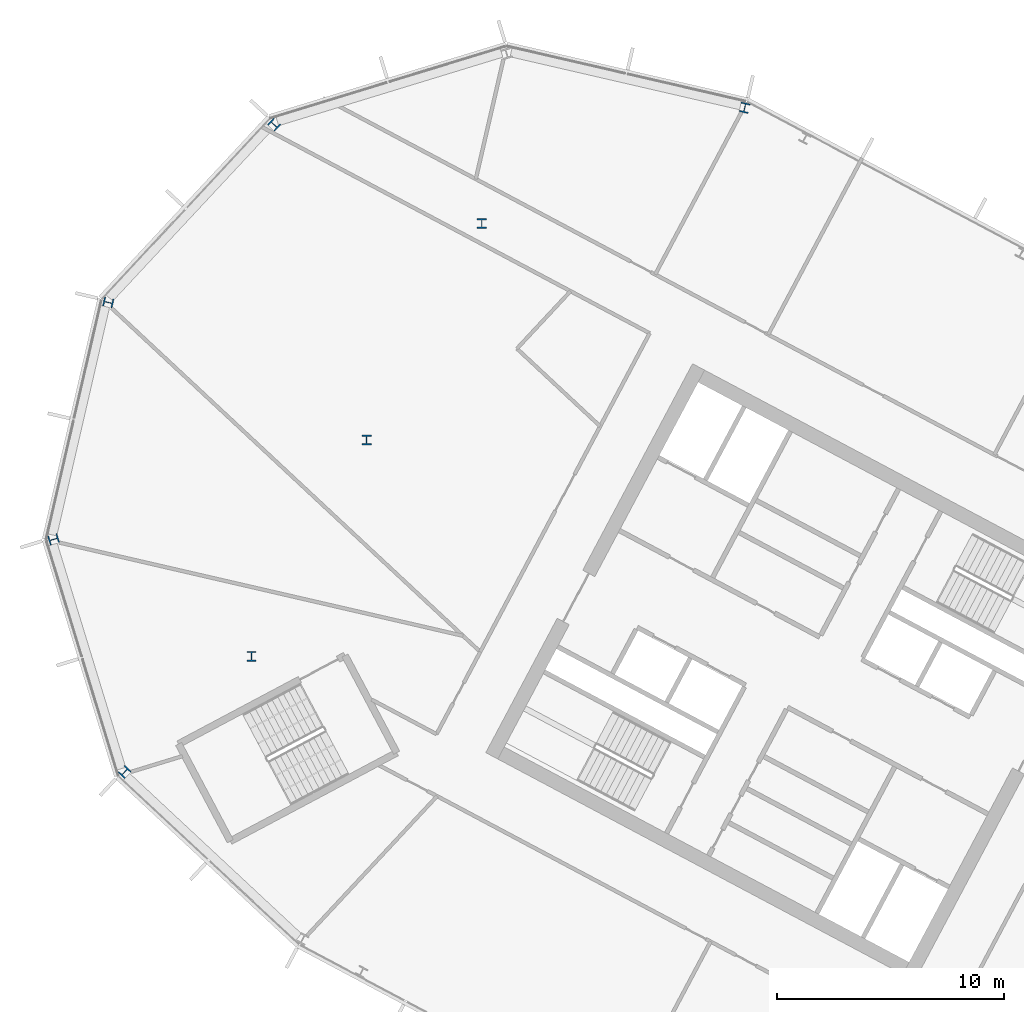
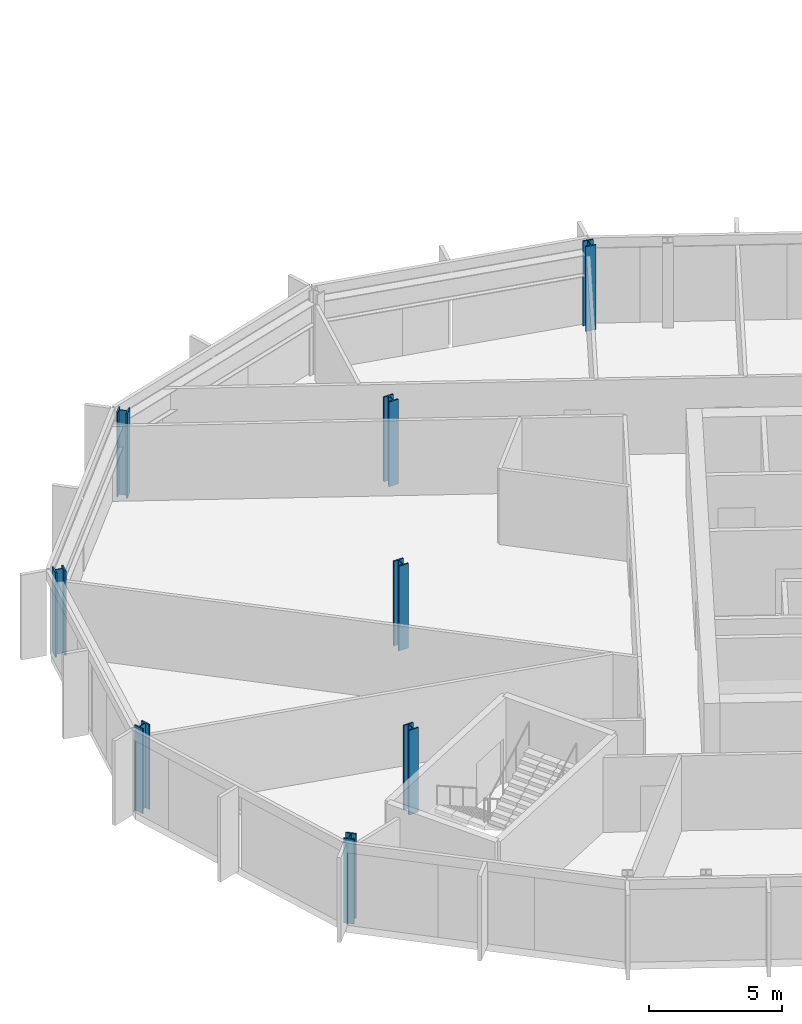
# One storey, part 3 of 26: 8 columns.
"""IFC4 building model written with IfcOpenShell, lengths in metres."""

import ifcopenshell
import ifcopenshell.guid

model = None  # the IFC model being written
_history = None  # IfcOwnerHistory: only IFC2X3 demands one
_inside = {}  # id of a spatial element -> (the spatial element, [elements in it])
_under = {}  # id of a project, library or spatial element -> (it, [spatial elements below it])
_declared = {}  # id of a project -> (the project, [libraries it declares])
_typed = {}  # id of a type object -> (the type object, [elements of that type])
_made_of = {}  # id of a material, layer set ... -> (it, [elements and type objects made of it])


def new_model(schema):
    """Start an empty IFC model of exactly this schema.

    Asked for "IFC4X3", IfcOpenShell would pick the latest addendum, in which some entities
    have other attributes; the version numbers below select the first issue.
    IFC2X3 requires an IfcOwnerHistory on every rooted entity: one is made here for all.
    """
    global model, _history
    if schema == "IFC4X3":
        model = ifcopenshell.file(schema_version=(4, 3, 0, 0))
    else:
        model = ifcopenshell.file(schema=schema)
    _inside.clear()
    _under.clear()
    _declared.clear()
    _typed.clear()
    _made_of.clear()
    _history = None
    if model.schema == "IFC2X3":
        org = make("IfcOrganization", Name="unknown")
        user = make(
            "IfcPersonAndOrganization",
            ThePerson=make("IfcPerson", FamilyName="unknown"),
            TheOrganization=org,
        )
        app = make(
            "IfcApplication",
            ApplicationDeveloper=org,
            Version="unknown",
            ApplicationFullName="unknown",
            ApplicationIdentifier="unknown",
        )
        _history = make(
            "IfcOwnerHistory",
            OwningUser=user,
            OwningApplication=app,
            ChangeAction="ADDED",
            CreationDate=0,
        )
    return model


def make(cls, **values):
    """One entity of the class cls with the attributes given. An attribute that is None is left unset."""
    return model.create_entity(
        cls, **{name: value for name, value in values.items() if value is not None}
    )


def rooted(cls, **values):
    """An entity with a GlobalId (a new one), such as an element, a storey or a relation."""
    return make(cls, GlobalId=ifcopenshell.guid.new(), OwnerHistory=_history, **values)


def si_unit(unit_type, name, prefix=None):
    """IfcSIUnit, for example si_unit("LENGTHUNIT", "METRE", prefix="MILLI")."""
    return make("IfcSIUnit", UnitType=unit_type, Prefix=prefix, Name=name)


def assignment(units):
    """IfcUnitAssignment: the units of a project."""
    return None if units is None else make("IfcUnitAssignment", Units=units)


def point(xyz):
    """IfcCartesianPoint."""
    return None if xyz is None else make("IfcCartesianPoint", Coordinates=xyz)


def direction(xyz):
    """IfcDirection."""
    return None if xyz is None else make("IfcDirection", DirectionRatios=xyz)


def frame(location, z_axis=None, x_axis=None):
    """IfcAxis2Placement3D, a coordinate frame: its origin and axes. An axis left out is left unset."""
    return make(
        "IfcAxis2Placement3D",
        Location=point(location),
        Axis=direction(z_axis),
        RefDirection=direction(x_axis),
    )


def frame_2d(location, x_axis=None):
    """IfcAxis2Placement2D, a coordinate frame in the plane: its origin and x axis."""
    return make(
        "IfcAxis2Placement2D", Location=point(location), RefDirection=direction(x_axis)
    )


def origin():
    """The frame at (0, 0, 0) with its axes left unset."""
    return frame((0.0, 0.0, 0.0))


def origin_2d():
    """The frame at (0, 0) in the plane with its x axis left unset."""
    return frame_2d((0.0, 0.0))


def place(relative_to, where):
    """IfcLocalPlacement: puts the frame where relative to a parent placement (None: the world)."""
    return make(
        "IfcLocalPlacement", PlacementRelTo=relative_to, RelativePlacement=where
    )


def context(
    kind, dimensions, precision=None, world=None, true_north=None, identifier=None
):
    """IfcGeometricRepresentationContext, for example the 3D "Model" context."""
    return make(
        "IfcGeometricRepresentationContext",
        ContextIdentifier=identifier,
        ContextType=kind,
        CoordinateSpaceDimension=dimensions,
        Precision=precision,
        WorldCoordinateSystem=world,
        TrueNorth=true_north,
    )


def subcontext(parent, identifier, kind, view, scale=None):
    """IfcGeometricRepresentationSubContext, for example "Body" below "Model"."""
    return make(
        "IfcGeometricRepresentationSubContext",
        ContextIdentifier=identifier,
        ContextType=kind,
        ParentContext=parent,
        TargetScale=scale,
        TargetView=view,
    )


def project(units=None, contexts=None):
    """IfcProject with its units and contexts."""
    return rooted(
        "IfcProject",
        Name="project",
        RepresentationContexts=contexts,
        UnitsInContext=assignment(units),
    )


def spatial(cls, under=None, at=None, **own):
    """A site, building, storey or space (cls), placed at a placement, below another one or the project."""
    s = rooted(cls, ObjectPlacement=at, **own)
    if under is not None:
        _under.setdefault(under.id(), (under, []))[1].append(s)
    return s


def profile(cls, at=None, kind="AREA", **sizes):
    """A parametric profile (cls). Its sizes go by their IFC names, for example OverallWidth=200.0."""
    return make(cls, ProfileType=kind, Position=at, **sizes)


def i_section(**sizes):
    """IfcIShapeProfileDef."""
    return profile("IfcIShapeProfileDef", **sizes)


def extrude(swept, where, along, depth):
    """IfcExtrudedAreaSolid: the profile swept, set in the frame where, extruded along a direction by depth."""
    return make(
        "IfcExtrudedAreaSolid",
        SweptArea=swept,
        Position=where,
        ExtrudedDirection=direction(along),
        Depth=depth,
    )


def shape(context_of_items, identifier, shape_type, items):
    """IfcShapeRepresentation: the items that make up one representation, for example the "Body"."""
    return make(
        "IfcShapeRepresentation",
        ContextOfItems=context_of_items,
        RepresentationIdentifier=identifier,
        RepresentationType=shape_type,
        Items=items,
    )


def material(Name=None, Category=None):
    """IfcMaterial."""
    return make("IfcMaterial", Name=Name, Category=Category)


def material_profile(
    of_material, cross_section, Name=None, Category=None, Priority=None
):
    """IfcMaterialProfile: a cross section and its material."""
    return make(
        "IfcMaterialProfile",
        Name=Name,
        Material=of_material,
        Profile=cross_section,
        Priority=Priority,
        Category=Category,
    )


def profile_set(profiles, Name=None, composite=None):
    """IfcMaterialProfileSet."""
    return make(
        "IfcMaterialProfileSet",
        Name=Name,
        MaterialProfiles=profiles,
        CompositeProfile=composite,
    )


def made_of(thing, what):
    """Note that an element or type object is made of a material, layer set ...; save() writes the relation."""
    if what is not None:
        _made_of.setdefault(what.id(), (what, []))[1].append(thing)
    return thing


def type_object(cls, material=None, **own):
    """A type object (cls), such as IfcWallType, which elements share."""
    return made_of(rooted(cls, **own), material)


def element(
    cls,
    number,
    at=None,
    inside=None,
    cuts=None,
    type_object=None,
    material=None,
    context=None,
    identifier="Body",
    shape_type=None,
    held_by="IfcProductDefinitionShape",
    body=None,
    shapes=None,
    **own,
):
    """One element of the class cls, such as IfcWall. Its Tag is "e" and its number.

    at: its placement. inside: the storey or other place that contains it. cuts: it is an
    opening in that element (IfcRelVoidsElement). A single representation is given by context,
    identifier, shape_type and body (its items); several are given by shapes. held_by: the class
    of the entity that holds the representations. save() writes the other relations.
    """
    e = rooted(cls, Tag="e%d" % number, ObjectPlacement=at, **own)
    if body is not None:
        shapes = [shape(context, identifier, shape_type, body)]
    if shapes is not None:
        e.Representation = make(held_by, Representations=shapes)
    if inside is not None:
        _inside.setdefault(inside.id(), (inside, []))[1].append(e)
    if cuts is not None:
        rooted(
            "IfcRelVoidsElement", RelatingBuildingElement=cuts, RelatedOpeningElement=e
        )
    if type_object is not None:
        _typed.setdefault(type_object.id(), (type_object, []))[1].append(e)
    return made_of(e, material)


def aggregate(whole, parts):
    """IfcRelAggregates: a whole, such as a stair, and the parts it consists of."""
    return rooted("IfcRelAggregates", RelatingObject=whole, RelatedObjects=parts)


def save(model, path):
    """Write the relations noted so far, then the file.

    IfcRelAggregates (storeys below a building ...), IfcRelContainedInSpatialStructure (elements
    in a storey), IfcRelDefinesByType, IfcRelAssociatesMaterial and IfcRelDeclares: one each for
    every whole, place, type object, material and project.
    """
    for whole, parts in _under.values():
        aggregate(whole, parts)
    for where, things in _inside.values():
        rooted(
            "IfcRelContainedInSpatialStructure",
            RelatedElements=things,
            RelatingStructure=where,
        )
    for kind, things in _typed.values():
        rooted("IfcRelDefinesByType", RelatedObjects=things, RelatingType=kind)
    for what, things in _made_of.values():
        rooted("IfcRelAssociatesMaterial", RelatedObjects=things, RelatingMaterial=what)
    for by, libraries in _declared.values():
        rooted("IfcRelDeclares", RelatingContext=by, RelatedDefinitions=libraries)
    model.write(path)


model = new_model("IFC4")

# Units and contexts
model_context = context("Model", 3, precision=1e-05, world=origin(), true_north=direction((0.0, 1.0)))
body_context = subcontext(model_context, "Body", "Model", "MODEL_VIEW")
ifc_project = project(units=[si_unit("LENGTHUNIT", "METRE"), si_unit("AREAUNIT", "SQUARE_METRE"), si_unit("VOLUMEUNIT", "CUBIC_METRE"), si_unit("PLANEANGLEUNIT", "RADIAN"), si_unit("MASSUNIT", "GRAM", prefix="KILO")], contexts=[model_context])

# Site, building, storey
site_placement = place(None, origin())
site = spatial("IfcSite", under=ifc_project, at=site_placement, CompositionType="ELEMENT")
building_placement = place(site_placement, origin())
building = spatial("IfcBuilding", under=site, at=building_placement, Name="Cormorant Relay Tower", CompositionType="ELEMENT")
storey_placement = place(building_placement, frame((0.0, 0.0, 248.10009765625)))
storey = spatial("IfcBuildingStorey", under=building, at=storey_placement, Name="L55", CompositionType="ELEMENT", Elevation=248.10009765625)

# Columns
ifc_material = material(Name="Steel ASTM A992 (Fy 345 MPa)", Category="steel")
ifc_material_profile = material_profile(ifc_material, i_section(OverallWidth=0.41162109375, OverallDepth=0.434326171875, WebThickness=0.035888671875, FlangeThickness=0.057373046875, FilletRadius=0.01513671875, at=origin_2d()), Name="W360x463")
ifc_profile_set = profile_set([ifc_material_profile], Name="Steel ASTM A992 (Fy 345 MPa)")
column_type = type_object("IfcColumnType", Name="Column W360x463", PredefinedType="COLUMN", material=ifc_profile_set)
for number, where, z_axis, x_axis, name in (
    (1, (-57.279052734375, 10.162109375, 0.0), (0.0, 0.0, 1.0), (0.731353701619, -0.681998360062, 0.0), "Column L55-022"),
    (2, (-51.68994140625, 15.251953125, 0.0), (0.0, 0.0, 1.0), (1.0, 0.0, 0.0), "Column L55-027"),
    (3, (-60.409912109375, 20.404052734375, 0.0), (0.0, 0.0, 1.0), (0.292371704723, -0.956304755963, 0.0), "Column L55-028"),
    (4, (-46.6201171875, 24.7880859375, 0.0), (0.0, 0.0, 1.0), (1.0, 0.0, 0.0), "Column L55-031"),
    (5, (-58.0009765625, 30.840087890625, 0.0), (0.0, 0.0, 1.0), (-0.224951054344, -0.974370064785, 0.0), "Column L55-034"),
    (6, (-41.549072265625, 34.323974609375, 0.0), (0.0, 0.0, 1.0), (1.0, 0.0, 0.0), "Column L55-038"),
    (7, (-50.697021484375, 38.672119140625, 0.0), (0.0, 0.0, 1.0), (-0.681998360062, -0.731353701619, 0.0), "Column L55-042"),
    (8, (-29.968017578125, 39.4150390625, 0.0), (0.0, 0.0, 1.0), (-0.974370064785, 0.224951054344, 0.0), "Column L55-044"),
):
    element("IfcColumn", number, at=place(storey_placement, frame(where, z_axis=z_axis, x_axis=x_axis)), inside=storey, type_object=column_type, Name=name, PredefinedType="COLUMN", context=body_context, shape_type="SweptSolid", body=[
        extrude(i_section(OverallWidth=0.41162109375, OverallDepth=0.434326171875, WebThickness=0.035888671875, FlangeThickness=0.057373046875, FilletRadius=0.01513671875, at=origin_2d()), origin(), (0.0, 0.0, 1.0), 3.89990234375),
    ])

save(model, "model.ifc")
